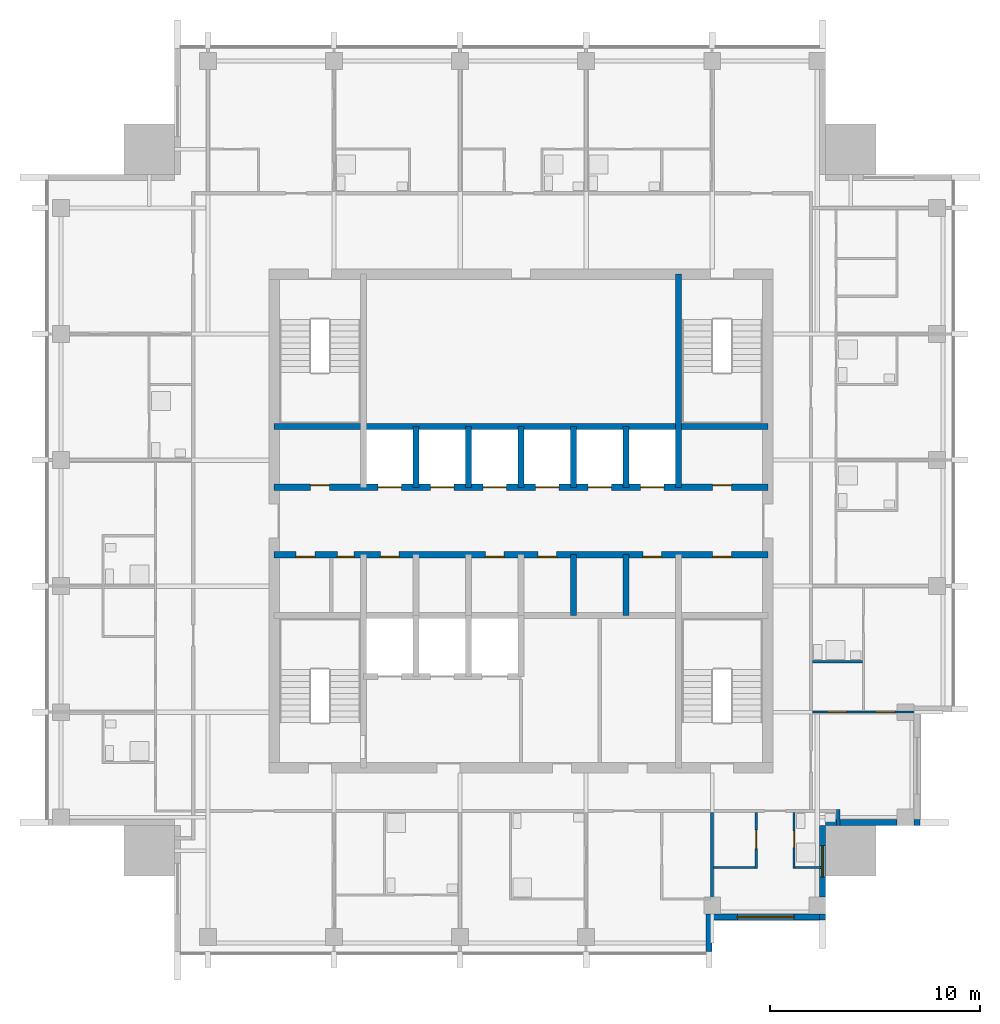
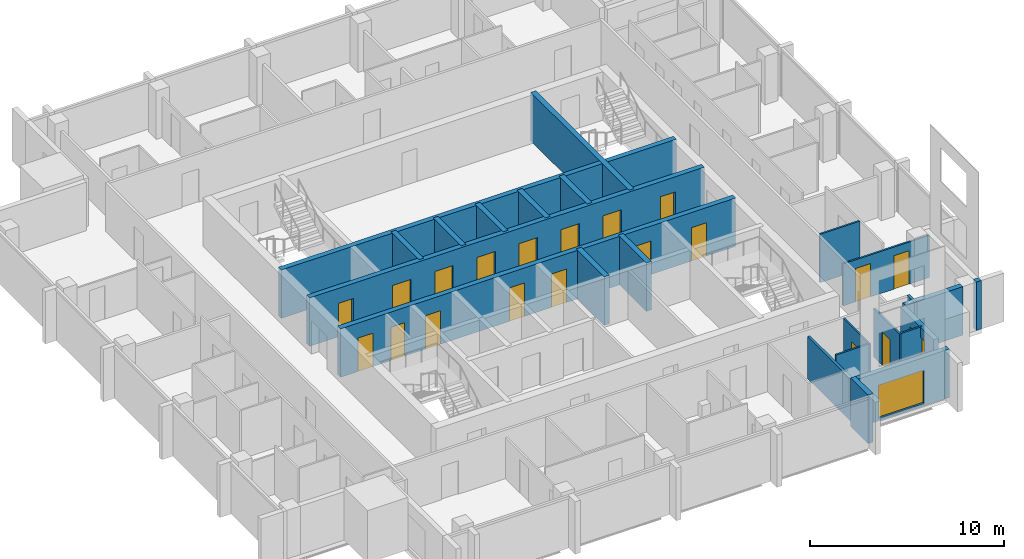
# One storey, part 5 of 9: 25 walls, 19 doors, 2 windows, 21 openings.
"""IFC4 building model written with IfcOpenShell, lengths in metres."""

import ifcopenshell
import ifcopenshell.guid

model = None  # the IFC model being written
_history = None  # IfcOwnerHistory: only IFC2X3 demands one
_inside = {}  # id of a spatial element -> (the spatial element, [elements in it])
_under = {}  # id of a project, library or spatial element -> (it, [spatial elements below it])
_declared = {}  # id of a project -> (the project, [libraries it declares])
_typed = {}  # id of a type object -> (the type object, [elements of that type])
_made_of = {}  # id of a material, layer set ... -> (it, [elements and type objects made of it])


def new_model(schema):
    """Start an empty IFC model of exactly this schema.

    Asked for "IFC4X3", IfcOpenShell would pick the latest addendum, in which some entities
    have other attributes; the version numbers below select the first issue.
    IFC2X3 requires an IfcOwnerHistory on every rooted entity: one is made here for all.
    """
    global model, _history
    if schema == "IFC4X3":
        model = ifcopenshell.file(schema_version=(4, 3, 0, 0))
    else:
        model = ifcopenshell.file(schema=schema)
    _inside.clear()
    _under.clear()
    _declared.clear()
    _typed.clear()
    _made_of.clear()
    _history = None
    if model.schema == "IFC2X3":
        org = make("IfcOrganization", Name="unknown")
        user = make(
            "IfcPersonAndOrganization",
            ThePerson=make("IfcPerson", FamilyName="unknown"),
            TheOrganization=org,
        )
        app = make(
            "IfcApplication",
            ApplicationDeveloper=org,
            Version="unknown",
            ApplicationFullName="unknown",
            ApplicationIdentifier="unknown",
        )
        _history = make(
            "IfcOwnerHistory",
            OwningUser=user,
            OwningApplication=app,
            ChangeAction="ADDED",
            CreationDate=0,
        )
    return model


def make(cls, **values):
    """One entity of the class cls with the attributes given. An attribute that is None is left unset."""
    return model.create_entity(
        cls, **{name: value for name, value in values.items() if value is not None}
    )


def rooted(cls, **values):
    """An entity with a GlobalId (a new one), such as an element, a storey or a relation."""
    return make(cls, GlobalId=ifcopenshell.guid.new(), OwnerHistory=_history, **values)


def si_unit(unit_type, name, prefix=None):
    """IfcSIUnit, for example si_unit("LENGTHUNIT", "METRE", prefix="MILLI")."""
    return make("IfcSIUnit", UnitType=unit_type, Prefix=prefix, Name=name)


def assignment(units):
    """IfcUnitAssignment: the units of a project."""
    return None if units is None else make("IfcUnitAssignment", Units=units)


def point(xyz):
    """IfcCartesianPoint."""
    return None if xyz is None else make("IfcCartesianPoint", Coordinates=xyz)


def direction(xyz):
    """IfcDirection."""
    return None if xyz is None else make("IfcDirection", DirectionRatios=xyz)


def frame(location, z_axis=None, x_axis=None):
    """IfcAxis2Placement3D, a coordinate frame: its origin and axes. An axis left out is left unset."""
    return make(
        "IfcAxis2Placement3D",
        Location=point(location),
        Axis=direction(z_axis),
        RefDirection=direction(x_axis),
    )


def frame_2d(location, x_axis=None):
    """IfcAxis2Placement2D, a coordinate frame in the plane: its origin and x axis."""
    return make(
        "IfcAxis2Placement2D", Location=point(location), RefDirection=direction(x_axis)
    )


def origin():
    """The frame at (0, 0, 0) with its axes left unset."""
    return frame((0.0, 0.0, 0.0))


def place(relative_to, where):
    """IfcLocalPlacement: puts the frame where relative to a parent placement (None: the world)."""
    return make(
        "IfcLocalPlacement", PlacementRelTo=relative_to, RelativePlacement=where
    )


def context(
    kind, dimensions, precision=None, world=None, true_north=None, identifier=None
):
    """IfcGeometricRepresentationContext, for example the 3D "Model" context."""
    return make(
        "IfcGeometricRepresentationContext",
        ContextIdentifier=identifier,
        ContextType=kind,
        CoordinateSpaceDimension=dimensions,
        Precision=precision,
        WorldCoordinateSystem=world,
        TrueNorth=true_north,
    )


def subcontext(parent, identifier, kind, view, scale=None):
    """IfcGeometricRepresentationSubContext, for example "Body" below "Model"."""
    return make(
        "IfcGeometricRepresentationSubContext",
        ContextIdentifier=identifier,
        ContextType=kind,
        ParentContext=parent,
        TargetScale=scale,
        TargetView=view,
    )


def project(units=None, contexts=None):
    """IfcProject with its units and contexts."""
    return rooted(
        "IfcProject",
        Name="project",
        RepresentationContexts=contexts,
        UnitsInContext=assignment(units),
    )


def spatial(cls, under=None, at=None, **own):
    """A site, building, storey or space (cls), placed at a placement, below another one or the project."""
    s = rooted(cls, ObjectPlacement=at, **own)
    if under is not None:
        _under.setdefault(under.id(), (under, []))[1].append(s)
    return s


def profile(cls, at=None, kind="AREA", **sizes):
    """A parametric profile (cls). Its sizes go by their IFC names, for example OverallWidth=200.0."""
    return make(cls, ProfileType=kind, Position=at, **sizes)


def rectangle(**sizes):
    """IfcRectangleProfileDef."""
    return profile("IfcRectangleProfileDef", **sizes)


def extrude(swept, where, along, depth):
    """IfcExtrudedAreaSolid: the profile swept, set in the frame where, extruded along a direction by depth."""
    return make(
        "IfcExtrudedAreaSolid",
        SweptArea=swept,
        Position=where,
        ExtrudedDirection=direction(along),
        Depth=depth,
    )


def shape(context_of_items, identifier, shape_type, items):
    """IfcShapeRepresentation: the items that make up one representation, for example the "Body"."""
    return make(
        "IfcShapeRepresentation",
        ContextOfItems=context_of_items,
        RepresentationIdentifier=identifier,
        RepresentationType=shape_type,
        Items=items,
    )


def material(Name=None, Category=None):
    """IfcMaterial."""
    return make("IfcMaterial", Name=Name, Category=Category)


def layer(
    of_material, thickness, ventilated=None, Name=None, Category=None, Priority=None
):
    """IfcMaterialLayer: one layer of a wall or slab, of a material (None: an air gap)."""
    return make(
        "IfcMaterialLayer",
        Material=of_material,
        LayerThickness=thickness,
        IsVentilated=ventilated,
        Name=Name,
        Category=Category,
        Priority=Priority,
    )


def layer_set(layers, Name=None):
    """IfcMaterialLayerSet."""
    return make("IfcMaterialLayerSet", MaterialLayers=layers, LayerSetName=Name)


def made_of(thing, what):
    """Note that an element or type object is made of a material, layer set ...; save() writes the relation."""
    if what is not None:
        _made_of.setdefault(what.id(), (what, []))[1].append(thing)
    return thing


def type_object(cls, material=None, **own):
    """A type object (cls), such as IfcWallType, which elements share."""
    return made_of(rooted(cls, **own), material)


def element(
    cls,
    number,
    at=None,
    inside=None,
    cuts=None,
    type_object=None,
    material=None,
    context=None,
    identifier="Body",
    shape_type=None,
    held_by="IfcProductDefinitionShape",
    body=None,
    shapes=None,
    **own,
):
    """One element of the class cls, such as IfcWall. Its Tag is "e" and its number.

    at: its placement. inside: the storey or other place that contains it. cuts: it is an
    opening in that element (IfcRelVoidsElement). A single representation is given by context,
    identifier, shape_type and body (its items); several are given by shapes. held_by: the class
    of the entity that holds the representations. save() writes the other relations.
    """
    e = rooted(cls, Tag="e%d" % number, ObjectPlacement=at, **own)
    if body is not None:
        shapes = [shape(context, identifier, shape_type, body)]
    if shapes is not None:
        e.Representation = make(held_by, Representations=shapes)
    if inside is not None:
        _inside.setdefault(inside.id(), (inside, []))[1].append(e)
    if cuts is not None:
        rooted(
            "IfcRelVoidsElement", RelatingBuildingElement=cuts, RelatedOpeningElement=e
        )
    if type_object is not None:
        _typed.setdefault(type_object.id(), (type_object, []))[1].append(e)
    return made_of(e, material)


def fill(opening, filler):
    """IfcRelFillsElement: the door or window that sits in an opening."""
    return rooted(
        "IfcRelFillsElement",
        RelatingOpeningElement=opening,
        RelatedBuildingElement=filler,
    )


def aggregate(whole, parts):
    """IfcRelAggregates: a whole, such as a stair, and the parts it consists of."""
    return rooted("IfcRelAggregates", RelatingObject=whole, RelatedObjects=parts)


def save(model, path):
    """Write the relations noted so far, then the file.

    IfcRelAggregates (storeys below a building ...), IfcRelContainedInSpatialStructure (elements
    in a storey), IfcRelDefinesByType, IfcRelAssociatesMaterial and IfcRelDeclares: one each for
    every whole, place, type object, material and project.
    """
    for whole, parts in _under.values():
        aggregate(whole, parts)
    for where, things in _inside.values():
        rooted(
            "IfcRelContainedInSpatialStructure",
            RelatedElements=things,
            RelatingStructure=where,
        )
    for kind, things in _typed.values():
        rooted("IfcRelDefinesByType", RelatedObjects=things, RelatingType=kind)
    for what, things in _made_of.values():
        rooted("IfcRelAssociatesMaterial", RelatedObjects=things, RelatingMaterial=what)
    for by, libraries in _declared.values():
        rooted("IfcRelDeclares", RelatingContext=by, RelatedDefinitions=libraries)
    model.write(path)


model = new_model("IFC4")

# Units and contexts
model_context = context("Model", 3, precision=1e-05, world=origin(), true_north=direction((0.0, 1.0)))
body_context = subcontext(model_context, "Body", "Model", "MODEL_VIEW")
ifc_project = project(units=[si_unit("LENGTHUNIT", "METRE"), si_unit("AREAUNIT", "SQUARE_METRE"), si_unit("VOLUMEUNIT", "CUBIC_METRE"), si_unit("PLANEANGLEUNIT", "RADIAN"), si_unit("MASSUNIT", "GRAM", prefix="KILO")], contexts=[model_context])

# Site, building, storey
site_placement = place(None, origin())
site = spatial("IfcSite", under=ifc_project, at=site_placement, CompositionType="ELEMENT")
building_placement = place(site_placement, origin())
building = spatial("IfcBuilding", under=site, at=building_placement, Name="Amberfall Residences", CompositionType="ELEMENT")
storey_placement = place(building_placement, frame((0.0, 0.0, 258.699951171875)))
storey = spatial("IfcBuildingStorey", under=building, at=storey_placement, Name="L69", CompositionType="ELEMENT", Elevation=258.699951171875)

# Walls
ifc_material_1 = material(Name="Pale stone cladding on insulated backing", Category="masonry")
ifc_layer_1 = layer(ifc_material_1, 0.300048828125)
ifc_layer_set_1 = layer_set([ifc_layer_1], Name="Bronze clad wall 300")
wall_type_1 = type_object("IfcWallType", Name="Bronze clad wall 300", PredefinedType="SOLIDWALL", material=ifc_layer_set_1)
wall_1_placement = place(storey_placement, frame((83.449951171875, 25.0, 0.0), z_axis=(0.0, 0.0, 1.0), x_axis=(0.0, 1.0, 0.0)))
element("IfcWall", 1, at=wall_1_placement, inside=storey, type_object=wall_type_1, Name="External wall L69 S", PredefinedType="SOLIDWALL", context=body_context, shape_type="SweptSolid", body=[
    extrude(rectangle(XDim=1.800048828125, YDim=0.300048828125, at=frame_2d((0.89990234375, 0.0))), origin(), (0.0, 0.0, 1.0), 3.050048828125),
])
wall_2_placement = place(storey_placement, frame((88.85009765625, 26.5, 0.0), z_axis=(0.0, 0.0, 1.0), x_axis=(0.0, 1.0, 0.0)))
element("IfcWall", 2, at=wall_2_placement, inside=storey, type_object=wall_type_1, Name="External wall L69 SE", PredefinedType="SOLIDWALL", context=body_context, shape_type="SweptSolid", body=[
    extrude(rectangle(XDim=0.300048828125, YDim=0.300048828125, at=frame_2d((0.14990234375, 0.0))), origin(), (0.0, 0.0, 1.0), 3.050048828125),
])

# Wall, opening, window
wall_3_placement = place(storey_placement, frame((88.85009765625, 27.60009765625, 0.0), z_axis=(0.0, 0.0, 1.0), x_axis=(0.0, 1.0, 0.0)))
wall_3 = element("IfcWall", 3, at=wall_3_placement, inside=storey, type_object=wall_type_1, Name="External wall L69 SE", PredefinedType="SOLIDWALL", context=body_context, shape_type="SweptSolid", body=[
    extrude(rectangle(XDim=3.39990234375, YDim=0.300048828125, at=frame_2d((1.699951171875, 0.0))), origin(), (0.0, 0.0, 1.0), 3.050048828125),
])
opening_1_placement = place(wall_3_placement, frame((0.949951171875, 0.0, 0.89990234375)))
opening_1 = element("IfcOpeningElement", 4, at=opening_1_placement, cuts=wall_3, Name="Opening WN1", PredefinedType="OPENING", context=body_context, shape_type="SweptSolid", body=[
    extrude(rectangle(XDim=1.5, YDim=1.5, at=frame_2d((0.75, 0.75))), frame((0.0, 0.159912109375, 0.0), z_axis=(0.0, -1.0, 0.0), x_axis=(1.0, 0.0, 0.0)), (0.0, 0.0, 1.0), 0.320068359375),
])
ifc_material_2 = material(Name="Bronze aluminium framed glazing", Category="aluminium")
window_type_1 = type_object("IfcWindowType", Name="Window 1500 x 1500 bronze", PartitioningType="DOUBLE_PANEL_VERTICAL", PredefinedType="WINDOW", material=ifc_material_2)
window_1_placement = place(opening_1_placement, origin())
window_1 = element("IfcWindow", 5, at=window_1_placement, inside=storey, type_object=window_type_1, Name="Window L69 SE", OverallHeight=1.5, OverallWidth=1.5, PartitioningType="DOUBLE_PANEL_VERTICAL", PredefinedType="WINDOW", context=body_context, shape_type="SweptSolid", body=[
    extrude(rectangle(XDim=1.5, YDim=1.5, at=frame_2d((0.75, 0.75))), frame((0.0, 0.030029296875, 0.0), z_axis=(0.0, -1.0, 0.0), x_axis=(1.0, 0.0, 0.0)), (0.0, 0.0, 1.0), 0.06005859375),
])
fill(opening_1, window_1)

# Walls
wall_4_placement = place(storey_placement, frame((89.0, 31.14990234375, 0.0), z_axis=(0.0, 0.0, 1.0), x_axis=(1.0, 0.0, 0.0)))
element("IfcWall", 6, at=wall_4_placement, inside=storey, type_object=wall_type_1, Name="External wall L69 SE", PredefinedType="SOLIDWALL", context=body_context, shape_type="SweptSolid", body=[
    extrude(rectangle(XDim=3.39990234375, YDim=0.300048828125, at=frame_2d((1.699951171875, 0.0))), origin(), (0.0, 0.0, 1.0), 3.050048828125),
])
wall_5_placement = place(storey_placement, frame((93.199951171875, 31.14990234375, 0.0), z_axis=(0.0, 0.0, 1.0), x_axis=(1.0, 0.0, 0.0)))
element("IfcWall", 7, at=wall_5_placement, inside=storey, type_object=wall_type_1, Name="External wall L69 SE", PredefinedType="SOLIDWALL", context=body_context, shape_type="SweptSolid", body=[
    extrude(rectangle(XDim=0.300048828125, YDim=0.300048828125, at=frame_2d((0.14990234375, 0.0))), origin(), (0.0, 0.0, 1.0), 3.050048828125),
])

# Wall, opening, window
wall_6_placement = place(storey_placement, frame((83.60009765625, 26.64990234375, 0.0), z_axis=(0.0, 0.0, 1.0), x_axis=(1.0, 0.0, 0.0)))
wall_6 = element("IfcWall", 8, at=wall_6_placement, inside=storey, type_object=wall_type_1, Name="Stone wall L69 S", PredefinedType="SOLIDWALL", context=body_context, shape_type="SweptSolid", body=[
    extrude(rectangle(XDim=5.099853515625, YDim=0.300048828125, at=frame_2d((2.5498046875, 0.0))), origin(), (0.0, 0.0, 1.0), 3.050048828125),
])
opening_2_placement = place(wall_6_placement, frame((1.199951171875, 0.0, 0.14990234375)))
opening_2 = element("IfcOpeningElement", 9, at=opening_2_placement, cuts=wall_6, Name="Opening WN4", PredefinedType="OPENING", context=body_context, shape_type="SweptSolid", body=[
    extrude(rectangle(XDim=2.699951171875, YDim=2.10009765625, at=frame_2d((1.35009765625, 1.050048828125))), frame((0.0, 0.159912109375, 0.0), z_axis=(0.0, -1.0, 0.0), x_axis=(1.0, 0.0, 0.0)), (0.0, 0.0, 1.0), 0.320068359375),
])
window_type_2 = type_object("IfcWindowType", Name="Glazed opening 2700 x 2100 bronze", PartitioningType="DOUBLE_PANEL_VERTICAL", PredefinedType="WINDOW", material=ifc_material_2)
window_2_placement = place(opening_2_placement, origin())
window_2 = element("IfcWindow", 10, at=window_2_placement, inside=storey, type_object=window_type_2, Name="Window L69 S", OverallHeight=2.10009765625, OverallWidth=2.699951171875, PartitioningType="DOUBLE_PANEL_VERTICAL", PredefinedType="WINDOW", context=body_context, shape_type="SweptSolid", body=[
    extrude(rectangle(XDim=2.699951171875, YDim=2.10009765625, at=frame_2d((1.35009765625, 1.050048828125))), frame((0.0, 0.030029296875, 0.0), z_axis=(0.0, -1.0, 0.0), x_axis=(1.0, 0.0, 0.0)), (0.0, 0.0, 1.0), 0.06005859375),
])
fill(opening_2, window_2)

# Wall, openings, doors
ifc_material_3 = material(Name="Concrete C50", Category="concrete")
ifc_layer_2 = layer(ifc_material_3, 0.300048828125)
ifc_layer_set_2 = layer_set([ifc_layer_2], Name="Core wall 300 C50")
wall_type_2 = type_object("IfcWallType", Name="Core wall 300 C50", PredefinedType="SHEAR", material=ifc_layer_set_2)
wall_7_placement = place(storey_placement, frame((62.75, 43.89990234375, 0.0), z_axis=(0.0, 0.0, 1.0), x_axis=(1.0, 0.0, 0.0)))
wall_7 = element("IfcWall", 11, at=wall_7_placement, inside=storey, type_object=wall_type_2, Name="Core wall RW10 L69 H104", PredefinedType="SHEAR", context=body_context, shape_type="SweptSolid", body=[
    extrude(rectangle(XDim=23.5, YDim=0.300048828125, at=frame_2d((11.75, 0.0))), origin(), (0.0, 0.0, 1.0), 3.050048828125),
])
opening_3_placement = place(wall_7_placement, frame((1.031982421875, 0.0, 0.0)))
opening_3 = element("IfcOpeningElement", 12, at=opening_3_placement, cuts=wall_7, Name="Opening RD1", PredefinedType="OPENING", context=body_context, shape_type="SweptSolid", body=[
    extrude(rectangle(XDim=0.89990234375, YDim=2.10009765625, at=frame_2d((0.449951171875, 1.050048828125))), frame((0.0, 0.159912109375, 0.0), z_axis=(0.0, -1.0, 0.0), x_axis=(1.0, 0.0, 0.0)), (0.0, 0.0, 1.0), 0.320068359375),
])
opening_4_placement = place(wall_7_placement, frame((3.007080078125, 0.0, 0.0)))
opening_4 = element("IfcOpeningElement", 13, at=opening_4_placement, cuts=wall_7, Name="Opening RD2", PredefinedType="OPENING", context=body_context, shape_type="SweptSolid", body=[
    extrude(rectangle(XDim=0.800048828125, YDim=2.10009765625, at=frame_2d((0.39990234375, 1.050048828125))), frame((0.0, 0.159912109375, 0.0), z_axis=(0.0, -1.0, 0.0), x_axis=(1.0, 0.0, 0.0)), (0.0, 0.0, 1.0), 0.320068359375),
])
opening_5_placement = place(wall_7_placement, frame((20.875, 0.0, 0.0)))
opening_5 = element("IfcOpeningElement", 14, at=opening_5_placement, cuts=wall_7, Name="Opening RD1", PredefinedType="OPENING", context=body_context, shape_type="SweptSolid", body=[
    extrude(rectangle(XDim=0.89990234375, YDim=2.10009765625, at=frame_2d((0.449951171875, 1.050048828125))), frame((0.0, 0.159912109375, 0.0), z_axis=(0.0, -1.0, 0.0), x_axis=(1.0, 0.0, 0.0)), (0.0, 0.0, 1.0), 0.320068359375),
])
opening_6_placement = place(wall_7_placement, frame((5.050048828125, 0.0, 0.0)))
opening_6 = element("IfcOpeningElement", 15, at=opening_6_placement, cuts=wall_7, Name="Opening RD1", PredefinedType="OPENING", context=body_context, shape_type="SweptSolid", body=[
    extrude(rectangle(XDim=0.89990234375, YDim=2.10009765625, at=frame_2d((0.449951171875, 1.050048828125))), frame((0.0, 0.159912109375, 0.0), z_axis=(0.0, -1.0, 0.0), x_axis=(1.0, 0.0, 0.0)), (0.0, 0.0, 1.0), 0.320068359375),
])
opening_7_placement = place(wall_7_placement, frame((10.050048828125, 0.0, 0.0)))
opening_7 = element("IfcOpeningElement", 16, at=opening_7_placement, cuts=wall_7, Name="Opening RD1", PredefinedType="OPENING", context=body_context, shape_type="SweptSolid", body=[
    extrude(rectangle(XDim=0.89990234375, YDim=2.10009765625, at=frame_2d((0.449951171875, 1.050048828125))), frame((0.0, 0.159912109375, 0.0), z_axis=(0.0, -1.0, 0.0), x_axis=(1.0, 0.0, 0.0)), (0.0, 0.0, 1.0), 0.320068359375),
])
opening_8_placement = place(wall_7_placement, frame((12.550048828125, 0.0, 0.0)))
opening_8 = element("IfcOpeningElement", 17, at=opening_8_placement, cuts=wall_7, Name="Opening RD1", PredefinedType="OPENING", context=body_context, shape_type="SweptSolid", body=[
    extrude(rectangle(XDim=0.89990234375, YDim=2.10009765625, at=frame_2d((0.449951171875, 1.050048828125))), frame((0.0, 0.159912109375, 0.0), z_axis=(0.0, -1.0, 0.0), x_axis=(1.0, 0.0, 0.0)), (0.0, 0.0, 1.0), 0.320068359375),
])
opening_9_placement = place(wall_7_placement, frame((17.550048828125, 0.0, 0.0)))
opening_9 = element("IfcOpeningElement", 18, at=opening_9_placement, cuts=wall_7, Name="Opening RD1", PredefinedType="OPENING", context=body_context, shape_type="SweptSolid", body=[
    extrude(rectangle(XDim=0.89990234375, YDim=2.10009765625, at=frame_2d((0.449951171875, 1.050048828125))), frame((0.0, 0.159912109375, 0.0), z_axis=(0.0, -1.0, 0.0), x_axis=(1.0, 0.0, 0.0)), (0.0, 0.0, 1.0), 0.320068359375),
])
ifc_material_4 = material(Name="Steel fire door set", Category="steel")
door_type_1 = type_object("IfcDoorType", Name="Service room door 800 x 2100", OperationType="SINGLE_SWING_LEFT", PredefinedType="DOOR", material=ifc_material_4)
door_1_placement = place(opening_4_placement, origin())
door_1 = element("IfcDoor", 19, at=door_1_placement, inside=storey, type_object=door_type_1, Name="RD2 L69", OperationType="SINGLE_SWING_RIGHT", OverallHeight=2.10009765625, OverallWidth=0.800048828125, PredefinedType="DOOR", context=body_context, shape_type="SweptSolid", body=[
    extrude(rectangle(XDim=0.800048828125, YDim=2.10009765625, at=frame_2d((0.39990234375, 1.050048828125))), frame((0.0, -0.08740234375, 0.0), z_axis=(0.0, -1.0, 0.0), x_axis=(1.0, 0.0, 0.0)), (0.0, 0.0, 1.0), 0.050048828125),
])
fill(opening_4, door_1)
door_type_2 = type_object("IfcDoorType", Name="Service room door 900 x 2100", OperationType="SINGLE_SWING_LEFT", PredefinedType="DOOR", material=ifc_material_4)
door_2_placement = place(opening_3_placement, origin())
door_2 = element("IfcDoor", 20, at=door_2_placement, inside=storey, type_object=door_type_2, Name="RD1 L69", OperationType="SINGLE_SWING_LEFT", OverallHeight=2.10009765625, OverallWidth=0.89990234375, PredefinedType="DOOR", context=body_context, shape_type="SweptSolid", body=[
    extrude(rectangle(XDim=0.89990234375, YDim=2.10009765625, at=frame_2d((0.449951171875, 1.050048828125))), frame((0.0, -0.08740234375, 0.0), z_axis=(0.0, -1.0, 0.0), x_axis=(1.0, 0.0, 0.0)), (0.0, 0.0, 1.0), 0.050048828125),
])
fill(opening_3, door_2)
door_3_placement = place(opening_5_placement, origin())
door_3 = element("IfcDoor", 21, at=door_3_placement, inside=storey, type_object=door_type_2, Name="RD1 L69", OperationType="SINGLE_SWING_LEFT", OverallHeight=2.10009765625, OverallWidth=0.89990234375, PredefinedType="DOOR", context=body_context, shape_type="SweptSolid", body=[
    extrude(rectangle(XDim=0.89990234375, YDim=2.10009765625, at=frame_2d((0.449951171875, 1.050048828125))), frame((0.0, -0.08740234375, 0.0), z_axis=(0.0, -1.0, 0.0), x_axis=(1.0, 0.0, 0.0)), (0.0, 0.0, 1.0), 0.050048828125),
])
fill(opening_5, door_3)
door_4_placement = place(opening_6_placement, origin())
door_4 = element("IfcDoor", 22, at=door_4_placement, inside=storey, type_object=door_type_2, Name="RD1 L69", OperationType="SINGLE_SWING_RIGHT", OverallHeight=2.10009765625, OverallWidth=0.89990234375, PredefinedType="DOOR", context=body_context, shape_type="SweptSolid", body=[
    extrude(rectangle(XDim=0.89990234375, YDim=2.10009765625, at=frame_2d((0.449951171875, 1.050048828125))), frame((0.0, -0.08740234375, 0.0), z_axis=(0.0, -1.0, 0.0), x_axis=(1.0, 0.0, 0.0)), (0.0, 0.0, 1.0), 0.050048828125),
])
fill(opening_6, door_4)
door_5_placement = place(opening_7_placement, origin())
door_5 = element("IfcDoor", 23, at=door_5_placement, inside=storey, type_object=door_type_2, Name="RD1 L69", OperationType="SINGLE_SWING_RIGHT", OverallHeight=2.10009765625, OverallWidth=0.89990234375, PredefinedType="DOOR", context=body_context, shape_type="SweptSolid", body=[
    extrude(rectangle(XDim=0.89990234375, YDim=2.10009765625, at=frame_2d((0.449951171875, 1.050048828125))), frame((0.0, -0.08740234375, 0.0), z_axis=(0.0, -1.0, 0.0), x_axis=(1.0, 0.0, 0.0)), (0.0, 0.0, 1.0), 0.050048828125),
])
fill(opening_7, door_5)
door_6_placement = place(opening_8_placement, origin())
door_6 = element("IfcDoor", 24, at=door_6_placement, inside=storey, type_object=door_type_2, Name="RD1 L69", OperationType="SINGLE_SWING_LEFT", OverallHeight=2.10009765625, OverallWidth=0.89990234375, PredefinedType="DOOR", context=body_context, shape_type="SweptSolid", body=[
    extrude(rectangle(XDim=0.89990234375, YDim=2.10009765625, at=frame_2d((0.449951171875, 1.050048828125))), frame((0.0, -0.08740234375, 0.0), z_axis=(0.0, -1.0, 0.0), x_axis=(1.0, 0.0, 0.0)), (0.0, 0.0, 1.0), 0.050048828125),
])
fill(opening_8, door_6)
door_7_placement = place(opening_9_placement, origin())
door_7 = element("IfcDoor", 25, at=door_7_placement, inside=storey, type_object=door_type_2, Name="RD1 L69", OperationType="SINGLE_SWING_LEFT", OverallHeight=2.10009765625, OverallWidth=0.89990234375, PredefinedType="DOOR", context=body_context, shape_type="SweptSolid", body=[
    extrude(rectangle(XDim=0.89990234375, YDim=2.10009765625, at=frame_2d((0.449951171875, 1.050048828125))), frame((0.0, -0.08740234375, 0.0), z_axis=(0.0, -1.0, 0.0), x_axis=(1.0, 0.0, 0.0)), (0.0, 0.0, 1.0), 0.050048828125),
])
fill(opening_9, door_7)

wall_8_placement = place(storey_placement, frame((62.75, 47.10009765625, 0.0), z_axis=(0.0, 0.0, 1.0), x_axis=(1.0, 0.0, 0.0)))
wall_8 = element("IfcWall", 26, at=wall_8_placement, inside=storey, type_object=wall_type_2, Name="Core wall RW10 L69 H136", PredefinedType="SHEAR", context=body_context, shape_type="SweptSolid", body=[
    extrude(rectangle(XDim=23.5, YDim=0.300048828125, at=frame_2d((11.75, 0.0))), origin(), (0.0, 0.0, 1.0), 3.050048828125),
])
opening_10_placement = place(wall_8_placement, frame((1.72509765625, 0.0, 0.0)))
opening_10 = element("IfcOpeningElement", 27, at=opening_10_placement, cuts=wall_8, Name="Opening RD1", PredefinedType="OPENING", context=body_context, shape_type="SweptSolid", body=[
    extrude(rectangle(XDim=0.89990234375, YDim=2.10009765625, at=frame_2d((0.449951171875, 1.050048828125))), frame((0.0, 0.159912109375, 0.0), z_axis=(0.0, -1.0, 0.0), x_axis=(1.0, 0.0, 0.0)), (0.0, 0.0, 1.0), 0.320068359375),
])
opening_11_placement = place(wall_8_placement, frame((20.875, 0.0, 0.0)))
opening_11 = element("IfcOpeningElement", 28, at=opening_11_placement, cuts=wall_8, Name="Opening RD1", PredefinedType="OPENING", context=body_context, shape_type="SweptSolid", body=[
    extrude(rectangle(XDim=0.89990234375, YDim=2.10009765625, at=frame_2d((0.449951171875, 1.050048828125))), frame((0.0, 0.159912109375, 0.0), z_axis=(0.0, -1.0, 0.0), x_axis=(1.0, 0.0, 0.0)), (0.0, 0.0, 1.0), 0.320068359375),
])
opening_12_placement = place(wall_8_placement, frame((4.949951171875, 0.0, 0.0)))
opening_12 = element("IfcOpeningElement", 29, at=opening_12_placement, cuts=wall_8, Name="Opening LD1", PredefinedType="OPENING", context=body_context, shape_type="SweptSolid", body=[
    extrude(rectangle(XDim=1.10009765625, YDim=2.10009765625, at=frame_2d((0.550048828125, 1.050048828125))), frame((0.0, 0.159912109375, 0.0), z_axis=(0.0, -1.0, 0.0), x_axis=(1.0, 0.0, 0.0)), (0.0, 0.0, 1.0), 0.320068359375),
])
opening_13_placement = place(wall_8_placement, frame((7.449951171875, 0.0, 0.0)))
opening_13 = element("IfcOpeningElement", 30, at=opening_13_placement, cuts=wall_8, Name="Opening LD1", PredefinedType="OPENING", context=body_context, shape_type="SweptSolid", body=[
    extrude(rectangle(XDim=1.10009765625, YDim=2.10009765625, at=frame_2d((0.550048828125, 1.050048828125))), frame((0.0, 0.159912109375, 0.0), z_axis=(0.0, -1.0, 0.0), x_axis=(1.0, 0.0, 0.0)), (0.0, 0.0, 1.0), 0.320068359375),
])
opening_14_placement = place(wall_8_placement, frame((9.949951171875, 0.0, 0.0)))
opening_14 = element("IfcOpeningElement", 31, at=opening_14_placement, cuts=wall_8, Name="Opening LD1", PredefinedType="OPENING", context=body_context, shape_type="SweptSolid", body=[
    extrude(rectangle(XDim=1.10009765625, YDim=2.10009765625, at=frame_2d((0.550048828125, 1.050048828125))), frame((0.0, 0.159912109375, 0.0), z_axis=(0.0, -1.0, 0.0), x_axis=(1.0, 0.0, 0.0)), (0.0, 0.0, 1.0), 0.320068359375),
])
opening_15_placement = place(wall_8_placement, frame((12.449951171875, 0.0, 0.0)))
opening_15 = element("IfcOpeningElement", 32, at=opening_15_placement, cuts=wall_8, Name="Opening LD1", PredefinedType="OPENING", context=body_context, shape_type="SweptSolid", body=[
    extrude(rectangle(XDim=1.10009765625, YDim=2.10009765625, at=frame_2d((0.550048828125, 1.050048828125))), frame((0.0, 0.159912109375, 0.0), z_axis=(0.0, -1.0, 0.0), x_axis=(1.0, 0.0, 0.0)), (0.0, 0.0, 1.0), 0.320068359375),
])
opening_16_placement = place(wall_8_placement, frame((14.949951171875, 0.0, 0.0)))
opening_16 = element("IfcOpeningElement", 33, at=opening_16_placement, cuts=wall_8, Name="Opening LD1", PredefinedType="OPENING", context=body_context, shape_type="SweptSolid", body=[
    extrude(rectangle(XDim=1.10009765625, YDim=2.10009765625, at=frame_2d((0.550048828125, 1.050048828125))), frame((0.0, 0.159912109375, 0.0), z_axis=(0.0, -1.0, 0.0), x_axis=(1.0, 0.0, 0.0)), (0.0, 0.0, 1.0), 0.320068359375),
])
opening_17_placement = place(wall_8_placement, frame((17.449951171875, 0.0, 0.0)))
opening_17 = element("IfcOpeningElement", 34, at=opening_17_placement, cuts=wall_8, Name="Opening LD1", PredefinedType="OPENING", context=body_context, shape_type="SweptSolid", body=[
    extrude(rectangle(XDim=1.10009765625, YDim=2.10009765625, at=frame_2d((0.550048828125, 1.050048828125))), frame((0.0, 0.159912109375, 0.0), z_axis=(0.0, -1.0, 0.0), x_axis=(1.0, 0.0, 0.0)), (0.0, 0.0, 1.0), 0.320068359375),
])
door_type_3 = type_object("IfcDoorType", Name="Lift landing door 1100 x 2100", OperationType="DOUBLE_DOOR_SLIDING", PredefinedType="DOOR", material=ifc_material_4)
door_8_placement = place(opening_12_placement, origin())
door_8 = element("IfcDoor", 35, at=door_8_placement, inside=storey, type_object=door_type_3, Name="Landing door HP1 L69", OperationType="DOUBLE_DOOR_SLIDING", OverallHeight=2.10009765625, OverallWidth=1.10009765625, PredefinedType="DOOR", context=body_context, shape_type="SweptSolid", body=[
    extrude(rectangle(XDim=1.10009765625, YDim=2.10009765625, at=frame_2d((0.550048828125, 1.050048828125))), frame((0.0, 0.02490234375, 0.0), z_axis=(0.0, -1.0, 0.0), x_axis=(1.0, 0.0, 0.0)), (0.0, 0.0, 1.0), 0.050048828125),
])
fill(opening_12, door_8)
door_9_placement = place(opening_13_placement, origin())
door_9 = element("IfcDoor", 36, at=door_9_placement, inside=storey, type_object=door_type_3, Name="Landing door HP2 L69", OperationType="DOUBLE_DOOR_SLIDING", OverallHeight=2.10009765625, OverallWidth=1.10009765625, PredefinedType="DOOR", context=body_context, shape_type="SweptSolid", body=[
    extrude(rectangle(XDim=1.10009765625, YDim=2.10009765625, at=frame_2d((0.550048828125, 1.050048828125))), frame((0.0, 0.02490234375, 0.0), z_axis=(0.0, -1.0, 0.0), x_axis=(1.0, 0.0, 0.0)), (0.0, 0.0, 1.0), 0.050048828125),
])
fill(opening_13, door_9)
door_10_placement = place(opening_14_placement, origin())
door_10 = element("IfcDoor", 37, at=door_10_placement, inside=storey, type_object=door_type_3, Name="Landing door HP3 L69", OperationType="DOUBLE_DOOR_SLIDING", OverallHeight=2.10009765625, OverallWidth=1.10009765625, PredefinedType="DOOR", context=body_context, shape_type="SweptSolid", body=[
    extrude(rectangle(XDim=1.10009765625, YDim=2.10009765625, at=frame_2d((0.550048828125, 1.050048828125))), frame((0.0, 0.02490234375, 0.0), z_axis=(0.0, -1.0, 0.0), x_axis=(1.0, 0.0, 0.0)), (0.0, 0.0, 1.0), 0.050048828125),
])
fill(opening_14, door_10)
door_11_placement = place(opening_15_placement, origin())
door_11 = element("IfcDoor", 38, at=door_11_placement, inside=storey, type_object=door_type_3, Name="Landing door HP4 L69", OperationType="DOUBLE_DOOR_SLIDING", OverallHeight=2.10009765625, OverallWidth=1.10009765625, PredefinedType="DOOR", context=body_context, shape_type="SweptSolid", body=[
    extrude(rectangle(XDim=1.10009765625, YDim=2.10009765625, at=frame_2d((0.550048828125, 1.050048828125))), frame((0.0, 0.02490234375, 0.0), z_axis=(0.0, -1.0, 0.0), x_axis=(1.0, 0.0, 0.0)), (0.0, 0.0, 1.0), 0.050048828125),
])
fill(opening_15, door_11)
door_12_placement = place(opening_16_placement, origin())
door_12 = element("IfcDoor", 39, at=door_12_placement, inside=storey, type_object=door_type_3, Name="Landing door HP5 L69", OperationType="DOUBLE_DOOR_SLIDING", OverallHeight=2.10009765625, OverallWidth=1.10009765625, PredefinedType="DOOR", context=body_context, shape_type="SweptSolid", body=[
    extrude(rectangle(XDim=1.10009765625, YDim=2.10009765625, at=frame_2d((0.550048828125, 1.050048828125))), frame((0.0, 0.02490234375, 0.0), z_axis=(0.0, -1.0, 0.0), x_axis=(1.0, 0.0, 0.0)), (0.0, 0.0, 1.0), 0.050048828125),
])
fill(opening_16, door_12)
door_13_placement = place(opening_17_placement, origin())
door_13 = element("IfcDoor", 40, at=door_13_placement, inside=storey, type_object=door_type_3, Name="Landing door HP6 L69", OperationType="DOUBLE_DOOR_SLIDING", OverallHeight=2.10009765625, OverallWidth=1.10009765625, PredefinedType="DOOR", context=body_context, shape_type="SweptSolid", body=[
    extrude(rectangle(XDim=1.10009765625, YDim=2.10009765625, at=frame_2d((0.550048828125, 1.050048828125))), frame((0.0, 0.02490234375, 0.0), z_axis=(0.0, -1.0, 0.0), x_axis=(1.0, 0.0, 0.0)), (0.0, 0.0, 1.0), 0.050048828125),
])
fill(opening_17, door_13)
door_14_placement = place(opening_10_placement, origin())
door_14 = element("IfcDoor", 41, at=door_14_placement, inside=storey, type_object=door_type_2, Name="RD1 L69", OperationType="SINGLE_SWING_LEFT", OverallHeight=2.10009765625, OverallWidth=0.89990234375, PredefinedType="DOOR", context=body_context, shape_type="SweptSolid", body=[
    extrude(rectangle(XDim=0.89990234375, YDim=2.10009765625, at=frame_2d((0.449951171875, 1.050048828125))), frame((0.0, 0.1376953125, 0.0), z_axis=(0.0, -1.0, 0.0), x_axis=(1.0, 0.0, 0.0)), (0.0, 0.0, 1.0), 0.050048828125),
])
fill(opening_10, door_14)
door_15_placement = place(opening_11_placement, origin())
door_15 = element("IfcDoor", 42, at=door_15_placement, inside=storey, type_object=door_type_2, Name="RD1 L69", OperationType="SINGLE_SWING_LEFT", OverallHeight=2.10009765625, OverallWidth=0.89990234375, PredefinedType="DOOR", context=body_context, shape_type="SweptSolid", body=[
    extrude(rectangle(XDim=0.89990234375, YDim=2.10009765625, at=frame_2d((0.449951171875, 1.050048828125))), frame((0.0, 0.1376953125, 0.0), z_axis=(0.0, -1.0, 0.0), x_axis=(1.0, 0.0, 0.0)), (0.0, 0.0, 1.0), 0.050048828125),
])
fill(opening_11, door_15)

# Walls
wall_9_placement = place(storey_placement, frame((62.75, 50.0, 0.0), z_axis=(0.0, 0.0, 1.0), x_axis=(1.0, 0.0, 0.0)))
element("IfcWall", 43, at=wall_9_placement, inside=storey, type_object=wall_type_2, Name="Core wall RW10 L69 H165", PredefinedType="SHEAR", context=body_context, shape_type="SweptSolid", body=[
    extrude(rectangle(XDim=23.5, YDim=0.300048828125, at=frame_2d((11.75, 0.0))), origin(), (0.0, 0.0, 1.0), 3.050048828125),
])
wall_10_placement = place(storey_placement, frame((82.0, 47.10009765625, 0.0), z_axis=(0.0, 0.0, 1.0), x_axis=(0.0, 1.0, 0.0)))
element("IfcWall", 44, at=wall_10_placement, inside=storey, type_object=wall_type_2, Name="Core wall RW10 L69 V195N", PredefinedType="SHEAR", context=body_context, shape_type="SweptSolid", body=[
    extrude(rectangle(XDim=10.14990234375, YDim=0.300048828125, at=frame_2d((5.074951171875, 0.0))), origin(), (0.0, 0.0, 1.0), 3.050048828125),
])
for number, where, z_axis, x_axis, name in (
    (45, (69.5, 47.10009765625, 0.0), (0.0, 0.0, 1.0), (0.0, 1.0, 0.0), "Core wall RW10 L69 HPD1"),
    (46, (72.0, 47.10009765625, 0.0), (0.0, 0.0, 1.0), (0.0, 1.0, 0.0), "Core wall RW10 L69 HPD2"),
    (47, (74.5, 47.10009765625, 0.0), (0.0, 0.0, 1.0), (0.0, 1.0, 0.0), "Core wall RW10 L69 HPD3"),
    (48, (77.0, 41.0, 0.0), (0.0, 0.0, 1.0), (0.0, 1.0, 0.0), "Core wall RW10 L69 LPD4"),
    (49, (77.0, 47.10009765625, 0.0), (0.0, 0.0, 1.0), (0.0, 1.0, 0.0), "Core wall RW10 L69 HPD4"),
    (50, (79.5, 41.0, 0.0), (0.0, 0.0, 1.0), (0.0, 1.0, 0.0), "Core wall RW10 L69 LPD5"),
    (51, (79.5, 47.10009765625, 0.0), (0.0, 0.0, 1.0), (0.0, 1.0, 0.0), "Core wall RW10 L69 HPD5"),
):
    element("IfcWall", number, at=place(storey_placement, frame(where, z_axis=z_axis, x_axis=x_axis)), inside=storey, type_object=wall_type_2, Name=name, PredefinedType="SHEAR", context=body_context, shape_type="SweptSolid", body=[
        extrude(rectangle(XDim=2.89990234375, YDim=0.300048828125, at=frame_2d((1.449951171875, 0.0))), origin(), (0.0, 0.0, 1.0), 3.050048828125),
    ])

# Wall, opening, door
ifc_material_5 = material(Name="Gypsum board on metal stud")
ifc_layer_3 = layer(ifc_material_5, 0.10009765625)
ifc_layer_set_3 = layer_set([ifc_layer_3], Name="Flat partition 100")
wall_type_3 = type_object("IfcWallType", Name="Flat partition 100", PredefinedType="PARTITIONING", material=ifc_layer_set_3)
wall_11_placement = place(storey_placement, frame((85.699951171875, 28.949951171875, 0.0), z_axis=(0.0, 0.0, 1.0), x_axis=(0.0, 1.0, 0.0)))
wall_11 = element("IfcWall", 52, at=wall_11_placement, inside=storey, type_object=wall_type_3, Name="Partition 017", PredefinedType="PARTITIONING", context=body_context, shape_type="SweptSolid", body=[
    extrude(rectangle(XDim=2.675048828125, YDim=0.10009765625, at=frame_2d((1.33740234375, 0.0))), origin(), (0.0, 0.0, 1.0), 3.050048828125),
])
opening_18_placement = place(wall_11_placement, frame((0.949951171875, 0.0, 0.0)))
opening_18 = element("IfcOpeningElement", 53, at=opening_18_placement, cuts=wall_11, Name="Opening D41", PredefinedType="OPENING", context=body_context, shape_type="SweptSolid", body=[
    extrude(rectangle(XDim=0.89990234375, YDim=2.10009765625, at=frame_2d((0.449951171875, 1.050048828125))), frame((0.0, 0.06005859375, 0.0), z_axis=(0.0, -1.0, 0.0), x_axis=(1.0, 0.0, 0.0)), (0.0, 0.0, 1.0), 0.1201171875),
])
ifc_material_6 = material(Name="Timber", Category="wood")
door_type_4 = type_object("IfcDoorType", Name="Internal door 900 x 2100", OperationType="SINGLE_SWING_LEFT", PredefinedType="DOOR", material=ifc_material_6)
door_16_placement = place(opening_18_placement, origin())
door_16 = element("IfcDoor", 54, at=door_16_placement, inside=storey, type_object=door_type_4, Name="Door 6903 kitchen", OperationType="SINGLE_SWING_LEFT", OverallHeight=2.10009765625, OverallWidth=0.89990234375, PredefinedType="DOOR", context=body_context, shape_type="SweptSolid", body=[
    extrude(rectangle(XDim=0.89990234375, YDim=2.10009765625, at=frame_2d((0.449951171875, 1.050048828125))), frame((0.0, 0.02490234375, 0.0), z_axis=(0.0, -1.0, 0.0), x_axis=(1.0, 0.0, 0.0)), (0.0, 0.0, 1.0), 0.050048828125),
])
fill(opening_18, door_16)

wall_12_placement = place(storey_placement, frame((87.5, 31.625, 0.0), z_axis=(0.0, 0.0, 1.0), x_axis=(0.0, -1.0, 0.0)))
wall_12 = element("IfcWall", 55, at=wall_12_placement, inside=storey, type_object=wall_type_3, Name="Partition 018", PredefinedType="PARTITIONING", context=body_context, shape_type="SweptSolid", body=[
    extrude(rectangle(XDim=2.675048828125, YDim=0.10009765625, at=frame_2d((1.33740234375, 0.0))), origin(), (0.0, 0.0, 1.0), 3.050048828125),
])
opening_19_placement = place(wall_12_placement, frame((0.875, 0.0, 0.0)))
opening_19 = element("IfcOpeningElement", 56, at=opening_19_placement, cuts=wall_12, Name="Opening D42", PredefinedType="OPENING", context=body_context, shape_type="SweptSolid", body=[
    extrude(rectangle(XDim=0.800048828125, YDim=2.10009765625, at=frame_2d((0.39990234375, 1.050048828125))), frame((0.0, 0.06005859375, 0.0), z_axis=(0.0, -1.0, 0.0), x_axis=(1.0, 0.0, 0.0)), (0.0, 0.0, 1.0), 0.1201171875),
])
door_type_5 = type_object("IfcDoorType", Name="Bathroom door 800 x 2100", OperationType="SINGLE_SWING_LEFT", PredefinedType="DOOR", material=ifc_material_6)
door_17_placement = place(opening_19_placement, origin())
door_17 = element("IfcDoor", 57, at=door_17_placement, inside=storey, type_object=door_type_5, Name="Door 6903 bath1", OperationType="SINGLE_SWING_LEFT", OverallHeight=2.10009765625, OverallWidth=0.800048828125, PredefinedType="DOOR", context=body_context, shape_type="SweptSolid", body=[
    extrude(rectangle(XDim=0.800048828125, YDim=2.10009765625, at=frame_2d((0.39990234375, 1.050048828125))), frame((0.0, 0.02490234375, 0.0), z_axis=(0.0, -1.0, 0.0), x_axis=(1.0, 0.0, 0.0)), (0.0, 0.0, 1.0), 0.050048828125),
])
fill(opening_19, door_17)

# Wall
wall_13_placement = place(storey_placement, frame((88.375, 38.800048828125, 0.0), z_axis=(0.0, 0.0, 1.0), x_axis=(1.0, 0.0, 0.0)))
element("IfcWall", 58, at=wall_13_placement, inside=storey, type_object=wall_type_3, Name="Partition 039", PredefinedType="PARTITIONING", context=body_context, shape_type="SweptSolid", body=[
    extrude(rectangle(XDim=2.375, YDim=0.10009765625, at=frame_2d((1.1875, 0.0))), origin(), (0.0, 0.0, 1.0), 3.050048828125),
])

# Wall, openings, doors
wall_14_placement = place(storey_placement, frame((88.375, 36.39990234375, 0.0), z_axis=(0.0, 0.0, 1.0), x_axis=(1.0, 0.0, 0.0)))
wall_14 = element("IfcWall", 59, at=wall_14_placement, inside=storey, type_object=wall_type_3, Name="Partition 041", PredefinedType="PARTITIONING", context=body_context, shape_type="SweptSolid", body=[
    extrude(rectangle(XDim=5.125, YDim=0.10009765625, at=frame_2d((2.5625, 0.0))), origin(), (0.0, 0.0, 1.0), 2.64697265625),
])
opening_20_placement = place(wall_14_placement, frame((0.72509765625, 0.0, 0.0)))
opening_20 = element("IfcOpeningElement", 60, at=opening_20_placement, cuts=wall_14, Name="Opening D41", PredefinedType="OPENING", context=body_context, shape_type="SweptSolid", body=[
    extrude(rectangle(XDim=0.89990234375, YDim=2.10009765625, at=frame_2d((0.449951171875, 1.050048828125))), frame((0.0, 0.06005859375, 0.0), z_axis=(0.0, -1.0, 0.0), x_axis=(1.0, 0.0, 0.0)), (0.0, 0.0, 1.0), 0.1201171875),
])
opening_21_placement = place(wall_14_placement, frame((3.02490234375, 0.0, 0.0)))
opening_21 = element("IfcOpeningElement", 61, at=opening_21_placement, cuts=wall_14, Name="Opening D41", PredefinedType="OPENING", context=body_context, shape_type="SweptSolid", body=[
    extrude(rectangle(XDim=0.89990234375, YDim=2.10009765625, at=frame_2d((0.449951171875, 1.050048828125))), frame((0.0, 0.06005859375, 0.0), z_axis=(0.0, -1.0, 0.0), x_axis=(1.0, 0.0, 0.0)), (0.0, 0.0, 1.0), 0.1201171875),
])
door_18_placement = place(opening_20_placement, origin())
door_18 = element("IfcDoor", 62, at=door_18_placement, inside=storey, type_object=door_type_4, Name="Door 6904 kitchen", OperationType="SINGLE_SWING_LEFT", OverallHeight=2.10009765625, OverallWidth=0.89990234375, PredefinedType="DOOR", context=body_context, shape_type="SweptSolid", body=[
    extrude(rectangle(XDim=0.89990234375, YDim=2.10009765625, at=frame_2d((0.449951171875, 1.050048828125))), frame((0.0, 0.02490234375, 0.0), z_axis=(0.0, -1.0, 0.0), x_axis=(1.0, 0.0, 0.0)), (0.0, 0.0, 1.0), 0.050048828125),
])
fill(opening_20, door_18)
door_19_placement = place(opening_21_placement, origin())
door_19 = element("IfcDoor", 63, at=door_19_placement, inside=storey, type_object=door_type_4, Name="Door 6904 bedroom1", OperationType="SINGLE_SWING_LEFT", OverallHeight=2.10009765625, OverallWidth=0.89990234375, PredefinedType="DOOR", context=body_context, shape_type="SweptSolid", body=[
    extrude(rectangle(XDim=0.89990234375, YDim=2.10009765625, at=frame_2d((0.449951171875, 1.050048828125))), frame((0.0, 0.02490234375, 0.0), z_axis=(0.0, -1.0, 0.0), x_axis=(1.0, 0.0, 0.0)), (0.0, 0.0, 1.0), 0.050048828125),
])
fill(opening_21, door_19)

# Walls
wall_15_placement = place(storey_placement, frame((83.675048828125, 29.0, 0.0), z_axis=(0.0, 0.0, 1.0), x_axis=(1.0, 0.0, 0.0)))
element("IfcWall", 64, at=wall_15_placement, inside=storey, type_object=wall_type_3, Name="Partition 044", PredefinedType="PARTITIONING", context=body_context, shape_type="SweptSolid", body=[
    extrude(rectangle(XDim=1.974853515625, YDim=0.10009765625, at=frame_2d((0.9873046875, 0.0))), origin(), (0.0, 0.0, 1.0), 3.050048828125),
])
wall_16_placement = place(storey_placement, frame((87.550048828125, 29.0, 0.0), z_axis=(0.0, 0.0, 1.0), x_axis=(1.0, 0.0, 0.0)))
element("IfcWall", 65, at=wall_16_placement, inside=storey, type_object=wall_type_3, Name="Partition 045", PredefinedType="PARTITIONING", context=body_context, shape_type="SweptSolid", body=[
    extrude(rectangle(XDim=1.25, YDim=0.10009765625, at=frame_2d((0.625, 0.0))), origin(), (0.0, 0.0, 1.0), 3.050048828125),
])
ifc_material_7 = material(Name="Blockwork, plastered", Category="masonry")
ifc_layer_4 = layer(ifc_material_7, 0.14990234375)
ifc_layer_set_4 = layer_set([ifc_layer_4], Name="Flat separating wall 150")
wall_type_4 = type_object("IfcWallType", Name="Flat separating wall 150", PredefinedType="PARTITIONING", material=ifc_layer_set_4)
wall_17_placement = place(storey_placement, frame((83.60009765625, 26.5, 0.0), z_axis=(0.0, 0.0, 1.0), x_axis=(0.0, 1.0, 0.0)))
element("IfcWall", 66, at=wall_17_placement, inside=storey, type_object=wall_type_4, Name="Separating wall 054", PredefinedType="PARTITIONING", context=body_context, shape_type="SweptSolid", body=[
    extrude(rectangle(XDim=5.125, YDim=0.14990234375, at=frame_2d((2.5625, 0.0))), origin(), (0.0, 0.0, 1.0), 2.64697265625),
])
wall_18_placement = place(storey_placement, frame((89.60009765625, 31.0, 0.0), z_axis=(0.0, 0.0, 1.0), x_axis=(0.0, 1.0, 0.0)))
element("IfcWall", 67, at=wall_18_placement, inside=storey, type_object=wall_type_4, Name="Separating wall 056", PredefinedType="PARTITIONING", context=body_context, shape_type="SweptSolid", body=[
    extrude(rectangle(XDim=0.77490234375, YDim=0.14990234375, at=frame_2d((0.387451171875, 0.0))), origin(), (0.0, 0.0, 1.0), 3.050048828125),
])

save(model, "model.ifc")
